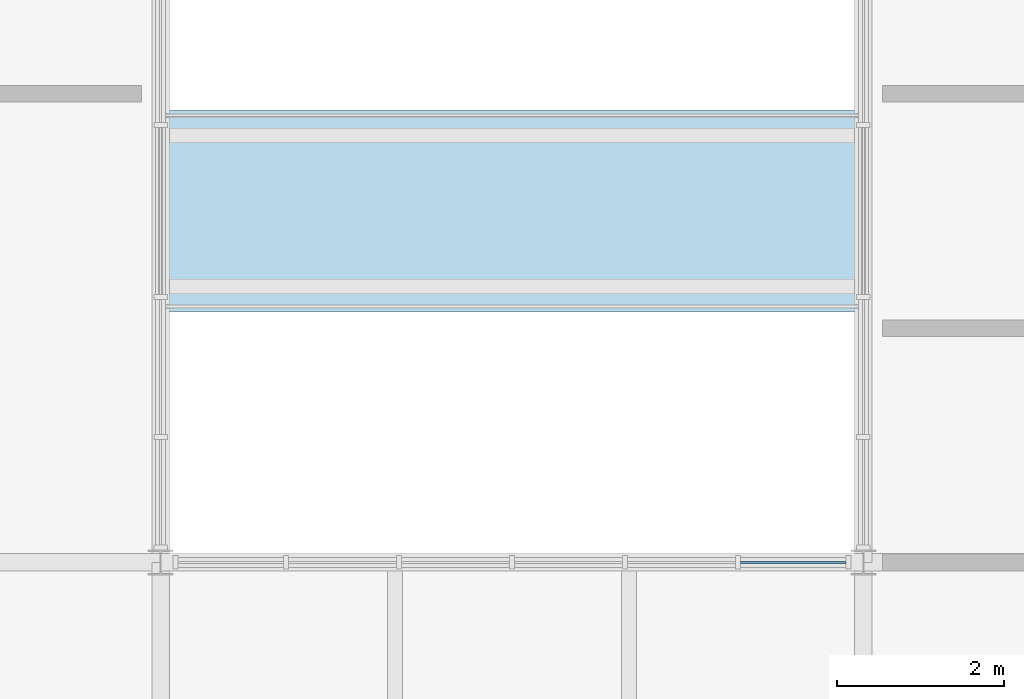
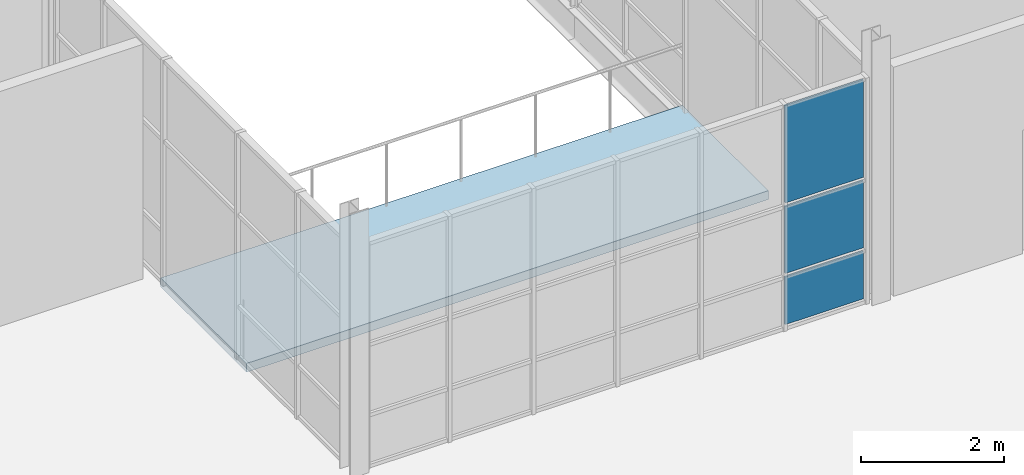
# One storey, part 76 of 129: 3 plates, 1 slab, 1 element without a shape of its own.
"""IFC4 building model written with IfcOpenShell, lengths in metres."""

from ifc_helpers import new_model, si_unit, direction, frame, origin, origin_2d, place, context, subcontext, project, spatial, polyline, rectangle, outline, extrude, material, layer, layer_set, type_object, element, aggregate, save


model = new_model("IFC4")

# Units and contexts
model_context = context("Model", 3, precision=1e-05, world=origin(), true_north=direction((0.0, 1.0)))
body_context = subcontext(model_context, "Body", "Model", "MODEL_VIEW")
ifc_project = project(units=[si_unit("LENGTHUNIT", "METRE"), si_unit("AREAUNIT", "SQUARE_METRE"), si_unit("VOLUMEUNIT", "CUBIC_METRE"), si_unit("PLANEANGLEUNIT", "RADIAN"), si_unit("MASSUNIT", "GRAM", prefix="KILO")], contexts=[model_context])

# Site, building, storey
site_placement = place(None, origin())
site = spatial("IfcSite", under=ifc_project, at=site_placement, CompositionType="ELEMENT")
building_placement = place(site_placement, origin())
building = spatial("IfcBuilding", under=site, at=building_placement, Name="Ardhachandra Cancer Care Centre", CompositionType="ELEMENT")
storey_placement = place(building_placement, frame((0.0, 0.0, 4.5)))
storey = spatial("IfcBuildingStorey", under=building, at=storey_placement, Name="L01", CompositionType="ELEMENT", Elevation=4.5)

# Slab
ifc_material_1 = material(Name="Concrete M40", Category="concrete")
ifc_layer_1 = layer(ifc_material_1, 0.14990234375)
ifc_layer_set_1 = layer_set([ifc_layer_1], Name="Concrete M40")
slab_type = type_object("IfcSlabType", Name="Bridge deck 150", PredefinedType="FLOOR", material=ifc_layer_set_1)
slab_placement = place(storey_placement, frame((0.0, 0.0, -0.14990234375)))
element("IfcSlab", 1, at=slab_placement, inside=storey, type_object=slab_type, Name="Bridge deck BR-LC2-L01", PredefinedType="FLOOR", context=body_context, shape_type="SweptSolid", body=[
    extrude(outline(polyline([(120.0, 66.0), (128.39990234375, 66.0), (128.39990234375, 68.39990234375), (120.0, 68.39990234375), (120.0, 66.0)])), origin(), (0.0, 0.0, 1.0), 0.14990234375),
])

# Curtain wall, plates
ifc_material_2 = material(Name="Aluminium extrusion", Category="aluminium")
ifc_layer_2 = layer(ifc_material_2, 0.14990234375)
ifc_layer_set_2 = layer_set([ifc_layer_2], Name="Aluminium extrusion")
curtain_wall_type = type_object("IfcCurtainWallType", Name="Curtain wall run", PredefinedType="NOTDEFINED", material=ifc_layer_set_2)
curtain_wall_placement = place(storey_placement, origin())
curtain_wall = element("IfcCurtainWall", 2, at=curtain_wall_placement, inside=storey, type_object=curtain_wall_type, Name="Curtain wall L01 n/0120000_0063000", PredefinedType="NOTDEFINED")
ifc_material_3 = material(Name="Low-iron double-glazed unit")
ifc_layer_3 = layer(ifc_material_3, 0.028076171875)
ifc_layer_set_3 = layer_set([ifc_layer_3], Name="Low-iron double-glazed unit")
plate_type_1 = type_object("IfcPlateType", Name="Curtain wall glazing 28", PredefinedType="CURTAIN_PANEL", material=ifc_layer_set_3)
plate_1_placement = place(storey_placement, frame((127.56005859375, 63.0, 0.93017578125), z_axis=(0.0, 0.0, 1.0), x_axis=(1.0, 0.0, 0.0)))
plate_1 = element("IfcPlate", 3, at=plate_1_placement, type_object=plate_type_1, Name="CW panel 6.2", PredefinedType="CURTAIN_PANEL", context=body_context, shape_type="SweptSolid", body=[
    extrude(rectangle(XDim=1.260009765625, YDim=0.028076171875, at=origin_2d()), origin(), (0.0, 0.0, 1.0), 1.139892578125),
])
plate_2_placement = place(storey_placement, frame((127.56005859375, 63.0, 2.1298828125), z_axis=(0.0, 0.0, 1.0), x_axis=(1.0, 0.0, 0.0)))
plate_2 = element("IfcPlate", 4, at=plate_2_placement, type_object=plate_type_1, Name="CW panel 6.3", PredefinedType="CURTAIN_PANEL", context=body_context, shape_type="SweptSolid", body=[
    extrude(rectangle(XDim=1.260009765625, YDim=0.028076171875, at=origin_2d()), origin(), (0.0, 0.0, 1.0), 1.659912109375),
])
ifc_material_4 = material(Name="Aluminium composite spandrel panel", Category="aluminium")
ifc_layer_4 = layer(ifc_material_4, 0.028076171875)
ifc_layer_set_4 = layer_set([ifc_layer_4], Name="Aluminium composite spandrel panel")
plate_type_2 = type_object("IfcPlateType", Name="Curtain wall spandrel panel 28", PredefinedType="CURTAIN_PANEL", material=ifc_layer_set_4)
plate_3_placement = place(storey_placement, frame((127.56005859375, 63.0, 0.06005859375), z_axis=(0.0, 0.0, 1.0), x_axis=(1.0, 0.0, 0.0)))
plate_3 = element("IfcPlate", 5, at=plate_3_placement, type_object=plate_type_2, Name="CW panel 6.1", PredefinedType="CURTAIN_PANEL", context=body_context, shape_type="SweptSolid", body=[
    extrude(rectangle(XDim=1.260009765625, YDim=0.028076171875, at=origin_2d()), origin(), (0.0, 0.0, 1.0), 0.81005859375),
])
aggregate(curtain_wall, [plate_3, plate_1, plate_2])

save(model, "model.ifc")
